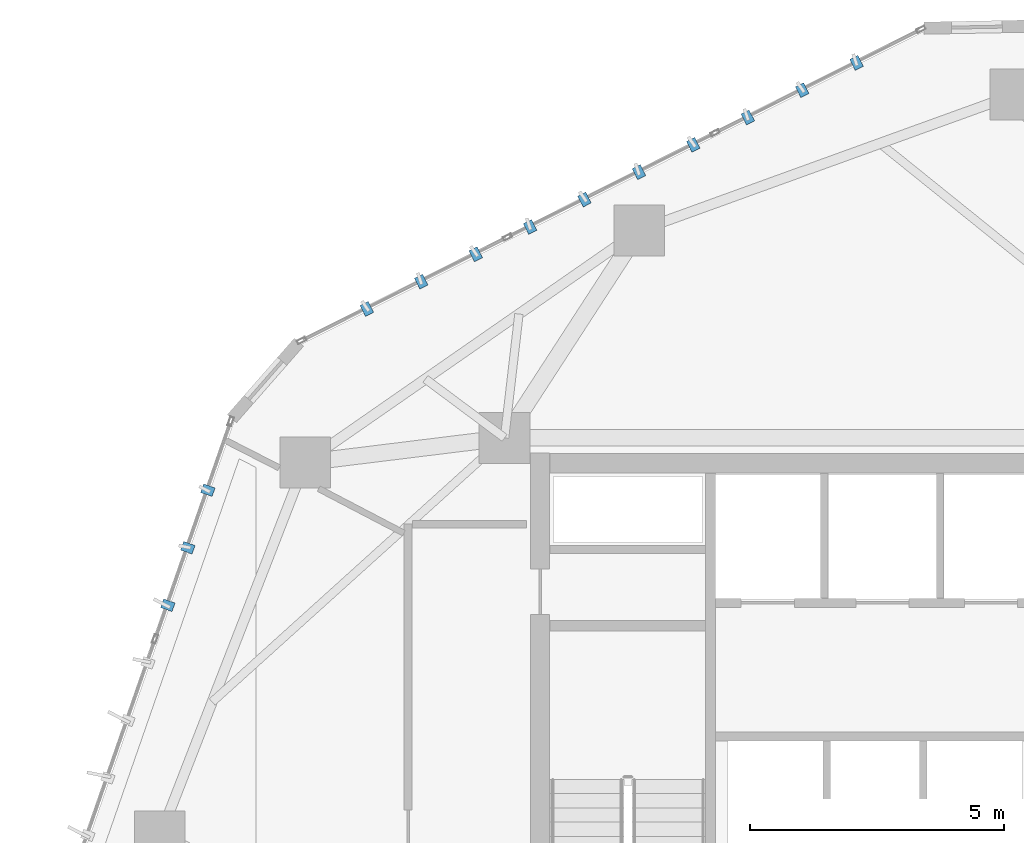
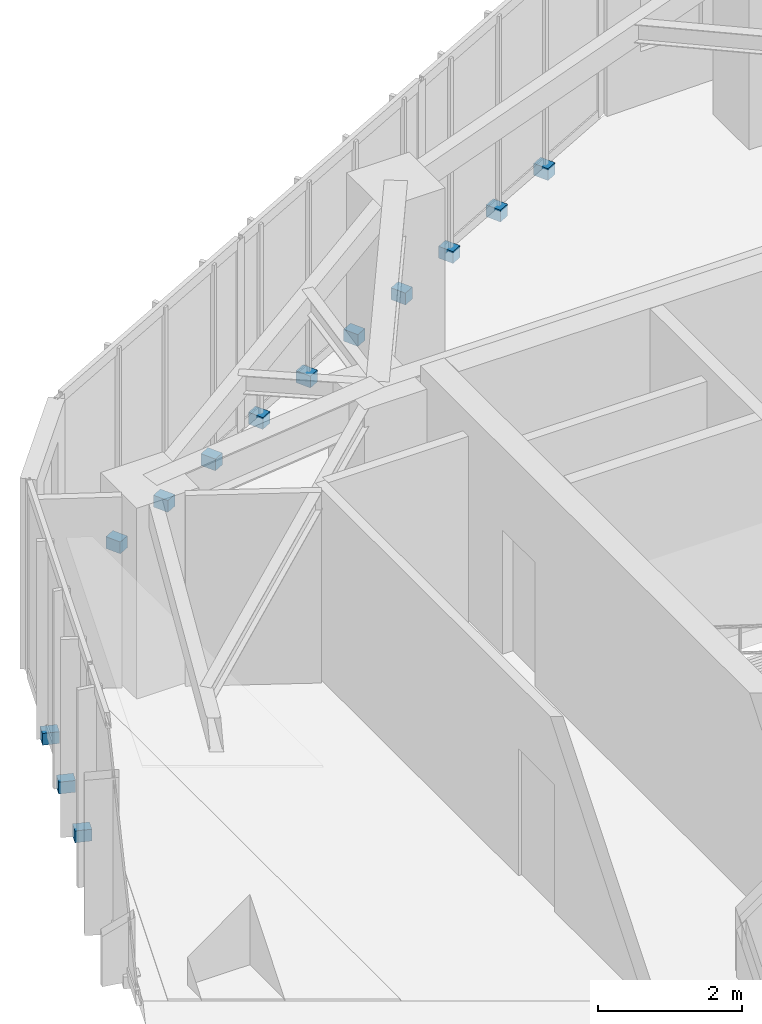
# One storey, part 18 of 20: 13 discrete accessories.
"""IFC4 building model written with IfcOpenShell, lengths in metres."""

from ifc_helpers import new_model, si_unit, direction, frame, origin, origin_2d, place, context, subcontext, project, spatial, rectangle, extrude, source, transform, mapped, material, type_object, type_shapes, element, save


model = new_model("IFC4")

# Units and contexts
model_context = context("Model", 3, precision=1e-05, world=origin(), true_north=direction((0.0, 1.0)))
body_context = subcontext(model_context, "Body", "Model", "MODEL_VIEW")
ifc_project = project(units=[si_unit("LENGTHUNIT", "METRE"), si_unit("AREAUNIT", "SQUARE_METRE"), si_unit("VOLUMEUNIT", "CUBIC_METRE"), si_unit("PLANEANGLEUNIT", "RADIAN"), si_unit("MASSUNIT", "GRAM", prefix="KILO")], contexts=[model_context])

# Site, building, storey
site_placement = place(None, origin())
site = spatial("IfcSite", under=ifc_project, at=site_placement, CompositionType="ELEMENT")
building_placement = place(site_placement, origin())
building = spatial("IfcBuilding", under=site, at=building_placement, Name="Talar Marvaseh", CompositionType="ELEMENT")
storey_placement = place(building_placement, frame((0.0, 0.0, 170.5)))
storey = spatial("IfcBuildingStorey", under=building, at=storey_placement, Name="L44", CompositionType="ELEMENT", Elevation=170.5)

# Discrete accessories
ifc_material = material(Name="Stainless Steel Grade 316", Category="steel")
discrete_accessory_type = type_object("IfcDiscreteAccessoryType", Name="Stainless Slab-Edge Fin Mounting Bracket", PredefinedType="BRACKET", material=ifc_material)
shared_shape = source(origin(), body_context, "Body", "SweptSolid", [
    extrude(rectangle(XDim=0.239990234375, YDim=0.179931640625, at=origin_2d()), origin(), (0.0, 0.0, 1.0), 0.199951171875),
])
type_shapes(discrete_accessory_type, [shared_shape])
for number, where, z_axis, x_axis, name in (
    (1, (12.06591796875, 33.6025390625, -0.18017578125), (0.0, 0.0, 1.0), (-0.944491108816, 0.328536977169, 0.0), "L44 Vertical Fin Slab-Edge Bracket"),
    (2, (12.460205078125, 34.73583984375, -0.18017578125), (0.0, 0.0, 1.0), (-0.944491108816, 0.328536977169, 0.0), "L44 Vertical Fin Slab-Edge Bracket"),
    (3, (12.8544921875, 35.869140625, -0.18017578125), (0.0, 0.0, 1.0), (-0.944491108816, 0.328536977169, 0.0), "L44 Vertical Fin Slab-Edge Bracket"),
    (4, (15.986572265625, 39.440673828125, -0.18017578125), (0.0, 0.0, 1.0), (-0.449007125805, 0.893528175816, 0.0), "L44 Vertical Fin Slab-Edge Bracket"),
    (5, (17.058837890625, 39.9794921875, -0.18017578125), (0.0, 0.0, 1.0), (-0.449007125805, 0.893528175816, 0.0), "L44 Vertical Fin Slab-Edge Bracket"),
    (6, (18.131103515625, 40.518310546875, -0.18017578125), (0.0, 0.0, 1.0), (-0.449007125805, 0.893528175816, 0.0), "L44 Vertical Fin Slab-Edge Bracket"),
    (7, (19.203125, 41.05712890625, -0.18017578125), (0.0, 0.0, 1.0), (-0.449007125805, 0.893528175816, 0.0), "L44 Vertical Fin Slab-Edge Bracket"),
    (8, (20.275390625, 41.595947265625, -0.18017578125), (0.0, 0.0, 1.0), (-0.449007125805, 0.893528175816, 0.0), "L44 Vertical Fin Slab-Edge Bracket"),
    (9, (21.34765625, 42.134765625, -0.18017578125), (0.0, 0.0, 1.0), (-0.449007125805, 0.893528175816, 0.0), "L44 Vertical Fin Slab-Edge Bracket"),
    (10, (22.419921875, 42.673583984375, -0.18017578125), (0.0, 0.0, 1.0), (-0.449007125805, 0.893528175816, 0.0), "L44 Vertical Fin Slab-Edge Bracket"),
    (11, (23.4921875, 43.21240234375, -0.18017578125), (0.0, 0.0, 1.0), (-0.449007125805, 0.893528175816, 0.0), "L44 Vertical Fin Slab-Edge Bracket"),
    (12, (24.564208984375, 43.75146484375, -0.18017578125), (0.0, 0.0, 1.0), (-0.449007125805, 0.893528175816, 0.0), "L44 Vertical Fin Slab-Edge Bracket"),
    (13, (25.636474609375, 44.290283203125, -0.18017578125), (0.0, 0.0, 1.0), (-0.449007125805, 0.893528175816, 0.0), "L44 Vertical Fin Slab-Edge Bracket"),
):
    element("IfcDiscreteAccessory", number, at=place(storey_placement, frame(where, z_axis=z_axis, x_axis=x_axis)), inside=storey, type_object=discrete_accessory_type, Name=name, PredefinedType="BRACKET", context=body_context, shape_type="MappedRepresentation", body=[
        mapped(shared_shape, transform((0.0, 0.0, 0.0), x_axis=(1.0, 0.0, 0.0), y_axis=(0.0, 1.0, 0.0), z_axis=(0.0, 0.0, 1.0), scale=1.0)),
    ])

save(model, "model.ifc")
